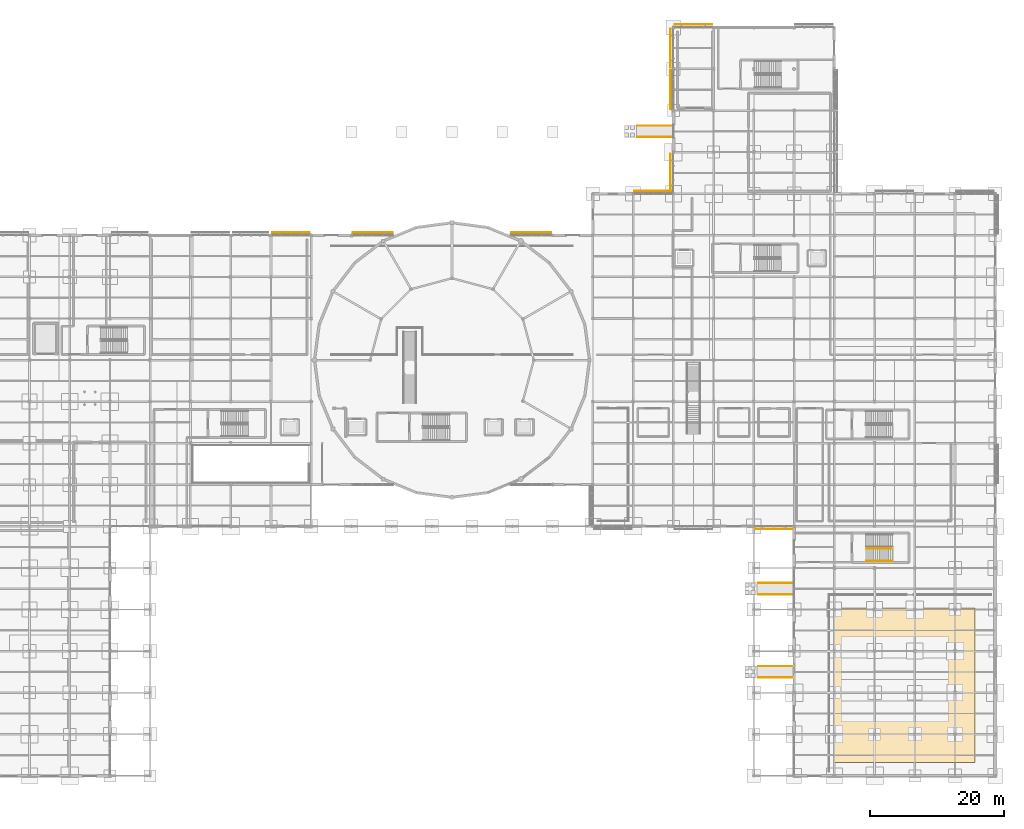
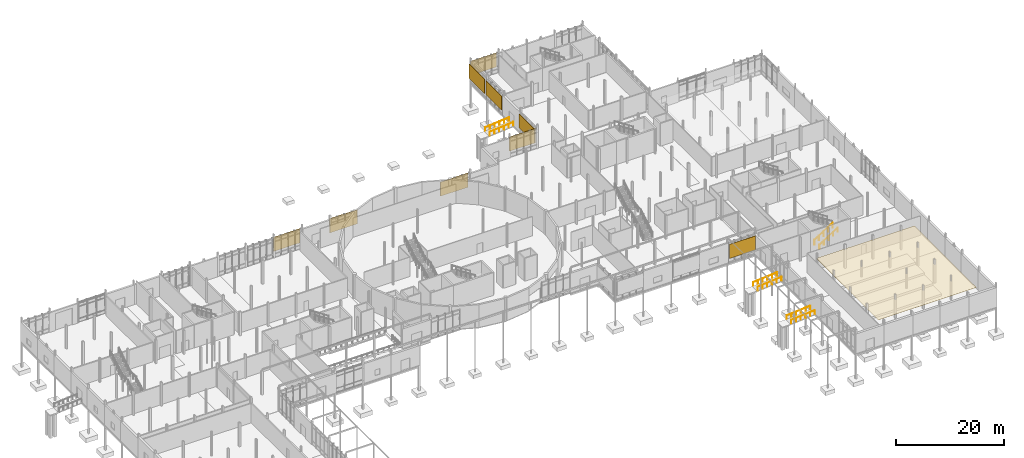
# One storey, part 93 of 98: 9 shading devices, 8 railings, 1 covering.
"""IFC4 building model written with IfcOpenShell, lengths in metres."""

from ifc_helpers import new_model, si_unit, direction, frame, origin, origin_2d, place, context, subcontext, project, spatial, polyline, rectangle, circle, outline, extrude, material, layer, layer_set, type_object, element, save


model = new_model("IFC4")

# Units and contexts
model_context = context("Model", 3, precision=1e-05, world=origin(), true_north=direction((0.0, 1.0)))
body_context = subcontext(model_context, "Body", "Model", "MODEL_VIEW")
ifc_project = project(units=[si_unit("LENGTHUNIT", "METRE"), si_unit("AREAUNIT", "SQUARE_METRE"), si_unit("VOLUMEUNIT", "CUBIC_METRE"), si_unit("PLANEANGLEUNIT", "RADIAN"), si_unit("MASSUNIT", "GRAM", prefix="KILO")], contexts=[model_context])

# Site, building, storey
site_placement = place(None, origin())
site = spatial("IfcSite", under=ifc_project, at=site_placement, CompositionType="ELEMENT")
building_placement = place(site_placement, origin())
building = spatial("IfcBuilding", under=site, at=building_placement, Name="Mirzam Square Science Centre", CompositionType="ELEMENT")
storey_placement = place(building_placement, origin())
storey = spatial("IfcBuildingStorey", under=building, at=storey_placement, Name="L00", CompositionType="ELEMENT", Elevation=0.0)

# Covering
ifc_material_1 = material(Name="Perforated Mineral-Wool Acoustic Ceiling", Category="gypsum")
ifc_layer_1 = layer(ifc_material_1, 0.0400390625)
ifc_layer_set_1 = layer_set([ifc_layer_1], Name="COV-ACOUST-CEIL")
covering_type = type_object("IfcCoveringType", Name="COV-ACOUST-CEIL", PredefinedType="CEILING", material=ifc_layer_set_1)
covering_placement = place(storey_placement, frame((0.0, 0.0, 4.110107421875)))
element("IfcCovering", 1, at=covering_placement, inside=storey, type_object=covering_type, Name="L00 acoustic ceiling 01", PredefinedType="CEILING", context=body_context, shape_type="SweptSolid", body=[
    extrude(outline(polyline([(138.0, 2.0), (159.0, 2.0), (159.0, 25.0), (138.0, 25.0), (138.0, 2.0)])), origin(), (0.0, 0.0, 1.0), 0.039794921875),
])

# Railings
ifc_material_2 = material(Name="Bronze-Anodised Architectural Balustrade", Category="aluminium")
railing_type_1 = type_object("IfcRailingType", Name="RL-INT-GUARD-1100", PredefinedType="GUARDRAIL", material=ifc_material_2)
railing_1_placement = place(storey_placement, frame((142.75, 33.89990234375, 0.179931640625)))
element("IfcRailing", 2, at=railing_1_placement, inside=storey, type_object=railing_type_1, Name="L00 ST-06 stair guard 1", PredefinedType="GUARDRAIL", context=body_context, shape_type="SweptSolid", body=[
    extrude(circle(Radius=0.02392578125, at=origin_2d()), frame((0.0, 0.0, 1.076171875), z_axis=(0.841171666519, 0.0, 0.540768182723), x_axis=(0.0, 1.0, 0.0)), (0.0, 0.0, 1.0), 4.66015625),
    extrude(circle(Radius=0.02099609375, at=origin_2d()), origin(), (0.0, 0.0, 1.0), 1.052001953125),
    extrude(circle(Radius=0.02099609375, at=origin_2d()), frame((0.97998046875, 0.0, 0.6298828125)), (0.0, 0.0, 1.0), 1.052001953125),
    extrude(circle(Radius=0.02099609375, at=origin_2d()), frame((1.9599609375, 0.0, 1.260009765625)), (0.0, 0.0, 1.0), 1.052001953125),
    extrude(circle(Radius=0.02099609375, at=origin_2d()), frame((2.93994140625, 0.0, 1.89013671875)), (0.0, 0.0, 1.0), 1.052001953125),
    extrude(circle(Radius=0.02099609375, at=origin_2d()), frame((3.919921875, 0.0, 2.52001953125)), (0.0, 0.0, 1.0), 1.052001953125),
])
ifc_material_3 = material(Name="Brushed Bronze Tubular Handrail", Category="aluminium")
railing_type_2 = type_object("IfcRailingType", Name="RL-STAIR-HANDRAIL-900", PredefinedType="HANDRAIL", material=ifc_material_3)
railing_2_placement = place(storey_placement, frame((142.75, 32.050048828125, 0.3720703125)))
element("IfcRailing", 3, at=railing_2_placement, inside=storey, type_object=railing_type_2, Name="L00 ST-06 stair handrail 1", PredefinedType="HANDRAIL", context=body_context, shape_type="SweptSolid", body=[
    extrude(circle(Radius=0.02392578125, at=origin_2d()), frame((0.0, 0.0, 0.8759765625), z_axis=(0.841171666519, 0.0, 0.540768182723), x_axis=(0.0, 1.0, 0.0)), (0.0, 0.0, 1.0), 4.66015625),
    extrude(circle(Radius=0.02099609375, at=origin_2d()), origin(), (0.0, 0.0, 1.0), 0.851806640625),
    extrude(circle(Radius=0.02099609375, at=origin_2d()), frame((0.97998046875, 0.0, 0.6298828125)), (0.0, 0.0, 1.0), 0.851806640625),
    extrude(circle(Radius=0.02099609375, at=origin_2d()), frame((1.9599609375, 0.0, 1.260009765625)), (0.0, 0.0, 1.0), 0.851806640625),
    extrude(circle(Radius=0.02099609375, at=origin_2d()), frame((2.93994140625, 0.0, 1.89013671875)), (0.0, 0.0, 1.0), 0.851806640625),
    extrude(circle(Radius=0.02099609375, at=origin_2d()), frame((3.919921875, 0.0, 2.52001953125)), (0.0, 0.0, 1.0), 0.851806640625),
])
for number, where, name in (
    (4, (126.669921875, 14.659912109375, -0.429931640625), "RAMP-PED-01 handrail S"),
    (5, (126.669921875, 16.340087890625, -0.429931640625), "RAMP-PED-01 handrail N"),
    (6, (126.669921875, 27.06005859375, -0.429931640625), "RAMP-PED-02 handrail S"),
    (7, (126.669921875, 28.739990234375, -0.429931640625), "RAMP-PED-02 handrail N"),
    (8, (108.669921875, 95.260009765625, -0.429931640625), "RAMP-PED-05 handrail S"),
    (9, (108.669921875, 96.93994140625, -0.429931640625), "RAMP-PED-05 handrail N"),
):
    element("IfcRailing", number, at=place(storey_placement, frame(where)), inside=storey, type_object=railing_type_2, Name=name, PredefinedType="HANDRAIL", context=body_context, shape_type="SweptSolid", body=[
        extrude(circle(Radius=0.02392578125, at=origin_2d()), frame((0.0, 0.0, 0.8759765625), z_axis=(0.996437927771, 0.0, 0.08432944977), x_axis=(0.0, 1.0, 0.0)), (0.0, 0.0, 1.0), 5.09814453125),
        extrude(circle(Radius=0.02099609375, at=origin_2d()), origin(), (0.0, 0.0, 1.0), 0.851806640625),
        extrude(circle(Radius=0.02099609375, at=origin_2d()), frame((1.01611328125, 0.0, 0.0859375)), (0.0, 0.0, 1.0), 0.851806640625),
        extrude(circle(Radius=0.02099609375, at=origin_2d()), frame((2.031982421875, 0.0, 0.171875)), (0.0, 0.0, 1.0), 0.851806640625),
        extrude(circle(Radius=0.02099609375, at=origin_2d()), frame((3.048095703125, 0.0, 0.258056640625)), (0.0, 0.0, 1.0), 0.851806640625),
        extrude(circle(Radius=0.02099609375, at=origin_2d()), frame((4.06396484375, 0.0, 0.343994140625)), (0.0, 0.0, 1.0), 0.851806640625),
        extrude(circle(Radius=0.02099609375, at=origin_2d()), frame((5.080078125, 0.0, 0.429931640625)), (0.0, 0.0, 1.0), 0.851806640625),
    ])

# Shading devices
ifc_material_4 = material(Name="Perforated Bronze-Anodised Aluminium Brise-Soleil", Category="aluminium")
ifc_layer_2 = layer(ifc_material_4, 0.080078125)
ifc_layer_set_2 = layer_set([ifc_layer_2], Name="SHD-BRISE-BRONZE")
shading_device_type = type_object("IfcShadingDeviceType", Name="SHD-BRISE-BRONZE", PredefinedType="JALOUSIE", material=ifc_layer_set_2)
shading_device_placement = place(storey_placement, frame((57.0, 81.010009765625, 1.08984375), z_axis=(0.0, 0.0, 1.0), x_axis=(-1.0, 0.0, 0.0)))
element("IfcShadingDevice", 10, at=shading_device_placement, inside=storey, type_object=shading_device_type, Name="L00 bronze brise-soleil screen 6", PredefinedType="JALOUSIE", context=body_context, shape_type="SweptSolid", body=[
    extrude(rectangle(XDim=5.590087890625, YDim=0.080078125, at=origin_2d()), origin(), (0.0, 0.0, 1.0), 3.199951171875),
])
for number, where, z_axis, x_axis, name in (
    (11, (69.175048828125, 81.010009765625, 1.08984375), (0.0, 0.0, 1.0), (-1.0, 0.0, 0.0), "L00 bronze brise-soleil screen 40"),
    (12, (92.824951171875, 81.010009765625, 1.08984375), (0.0, 0.0, 1.0), (-1.0, 0.0, 0.0), "L00 bronze brise-soleil screen 41"),
):
    element("IfcShadingDevice", number, at=place(storey_placement, frame(where, z_axis=z_axis, x_axis=x_axis)), inside=storey, type_object=shading_device_type, Name=name, PredefinedType="JALOUSIE", context=body_context, shape_type="SweptSolid", body=[
        extrude(rectangle(XDim=5.93994140625, YDim=0.080078125, at=origin_2d()), origin(), (0.0, 0.0, 1.0), 3.199951171875),
    ])
for number, where, z_axis, x_axis, name in (
    (13, (129.0, 36.7900390625, 1.08984375), (0.0, 0.0, 1.0), (1.0, 0.0, 0.0), "L00 bronze brise-soleil screen 56"),
    (14, (111.0, 87.2099609375, 1.08984375), (0.0, 0.0, 1.0), (-1.0, 0.0, 0.0), "L00 bronze brise-soleil screen 61"),
    (15, (117.0, 112.010009765625, 1.08984375), (0.0, 0.0, 1.0), (-1.0, 0.0, 0.0), "L00 bronze brise-soleil screen 63"),
):
    element("IfcShadingDevice", number, at=place(storey_placement, frame(where, z_axis=z_axis, x_axis=x_axis)), inside=storey, type_object=shading_device_type, Name=name, PredefinedType="JALOUSIE", context=body_context, shape_type="SweptSolid", body=[
        extrude(rectangle(XDim=5.590087890625, YDim=0.080078125, at=origin_2d()), origin(), (0.0, 0.0, 1.0), 3.199951171875),
    ])
for number, where, z_axis, x_axis, name in (
    (16, (113.590087890625, 89.89990234375, 1.08984375), (0.0, 0.0, 1.0), (0.0, -1.0, 0.0), "L00 bronze brise-soleil screen 65"),
    (17, (113.590087890625, 102.300048828125, 1.08984375), (0.0, 0.0, 1.0), (0.0, -1.0, 0.0), "L00 bronze brise-soleil screen 68"),
    (18, (113.590087890625, 108.5, 1.08984375), (0.0, 0.0, 1.0), (0.0, -1.0, 0.0), "L00 bronze brise-soleil screen 70"),
):
    element("IfcShadingDevice", number, at=place(storey_placement, frame(where, z_axis=z_axis, x_axis=x_axis)), inside=storey, type_object=shading_device_type, Name=name, PredefinedType="JALOUSIE", context=body_context, shape_type="SweptSolid", body=[
        extrude(rectangle(XDim=5.7900390625, YDim=0.080078125, at=origin_2d()), origin(), (0.0, 0.0, 1.0), 3.199951171875),
    ])

save(model, "model.ifc")
